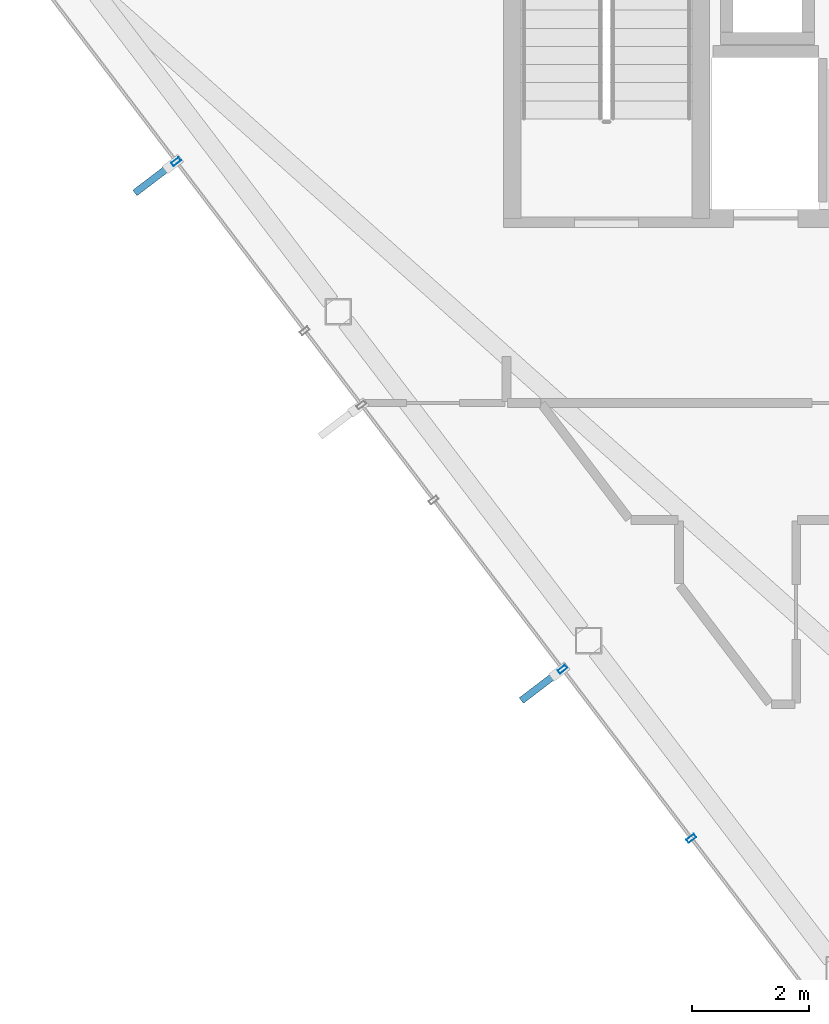
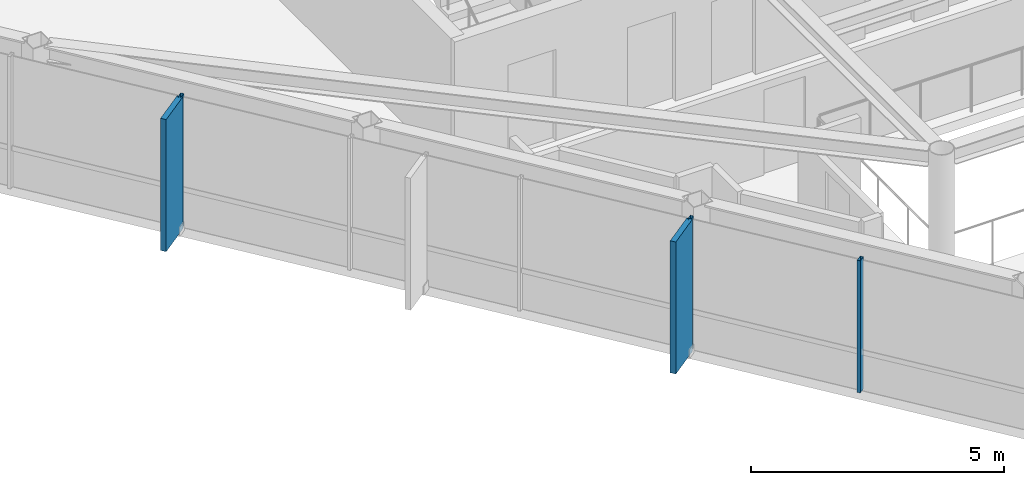
# One storey, part 2 of 23: 5 members, 1 element without a shape of its own.
"""IFC4 building model written with IfcOpenShell, lengths in metres."""

from ifc_helpers import new_model, si_unit, direction, frame, origin, origin_2d, place, context, subcontext, project, spatial, rectangle, hollow_rectangle, extrude, material, layer, layer_set, material_profile, profile_set, type_object, element, aggregate, save


model = new_model("IFC4")

# Units and contexts
model_context = context("Model", 3, precision=1e-05, world=origin(), true_north=direction((0.0, 1.0)))
body_context = subcontext(model_context, "Body", "Model", "MODEL_VIEW")
ifc_project = project(units=[si_unit("LENGTHUNIT", "METRE"), si_unit("AREAUNIT", "SQUARE_METRE"), si_unit("VOLUMEUNIT", "CUBIC_METRE"), si_unit("PLANEANGLEUNIT", "RADIAN"), si_unit("MASSUNIT", "GRAM", prefix="KILO")], contexts=[model_context])

# Site, building, storey
site_placement = place(None, origin())
site = spatial("IfcSite", under=ifc_project, at=site_placement, CompositionType="ELEMENT")
building_placement = place(site_placement, origin())
building = spatial("IfcBuilding", under=site, at=building_placement, Name="Zarrinselat Tower", CompositionType="ELEMENT")
storey_placement = place(building_placement, frame((0.0, 0.0, 278.800048828125)))
storey = spatial("IfcBuildingStorey", under=building, at=storey_placement, Name="L71", CompositionType="ELEMENT", Elevation=278.800048828125)

# Curtain wall, members
ifc_material_1 = material(Name="Extruded Aluminium Alloy EN AW-6063 T6", Category="aluminium")
ifc_layer = layer(ifc_material_1, 0.169921875)
ifc_layer_set = layer_set([ifc_layer], Name="Extruded Aluminium Alloy EN AW-6063 T6")
curtain_wall_type = type_object("IfcCurtainWallType", Name="CWS-RES", PredefinedType="NOTDEFINED", material=ifc_layer_set)
curtain_wall_placement = place(storey_placement, origin())
curtain_wall = element("IfcCurtainWall", 1, at=curtain_wall_placement, inside=storey, type_object=curtain_wall_type, Name="L71 Unitised Curtain Wall CW-L71-E03", PredefinedType="NOTDEFINED")
ifc_material_2 = material(Name="Extruded Aluminium Alloy EN AW-6063 T6", Category="aluminium")
ifc_material_profile_1 = material_profile(ifc_material_2, hollow_rectangle(XDim=0.070068359375, YDim=0.159912109375, WallThickness=0.00390625, at=origin_2d()), Name="RHS 160x70x4")
ifc_profile_set_1 = profile_set([ifc_material_profile_1], Name="Extruded Aluminium Alloy EN AW-6063 T6")
member_type_1 = type_object("IfcMemberType", Name="MEM-CW-MUL2", PredefinedType="MULLION", material=ifc_profile_set_1)
member_1_placement = place(storey_placement, frame((22.906005859375, 34.272216796875, 0.0), z_axis=(0.0, 0.0, 1.0), x_axis=(0.60576733126, -0.795641841772, 0.0)))
member_1 = element("IfcMember", 2, at=member_1_placement, type_object=member_type_1, Name="CW-L71-E03 Mullion 3", PredefinedType="MULLION", context=body_context, shape_type="SweptSolid", body=[
    extrude(hollow_rectangle(XDim=0.070068359375, YDim=0.159912109375, WallThickness=0.00390625, at=origin_2d()), origin(), (0.0, 0.0, 1.0), 3.179931640625),
])
member_2_placement = place(storey_placement, frame((29.50830078125, 25.600341796875, 0.0), z_axis=(0.0, 0.0, 1.0), x_axis=(0.60576733126, -0.795641841772, 0.0)))
member_2 = element("IfcMember", 3, at=member_2_placement, type_object=member_type_1, Name="CW-L71-E03 Mullion 7", PredefinedType="MULLION", context=body_context, shape_type="SweptSolid", body=[
    extrude(hollow_rectangle(XDim=0.070068359375, YDim=0.159912109375, WallThickness=0.00390625, at=origin_2d()), origin(), (0.0, 0.0, 1.0), 3.179931640625),
])
member_3_placement = place(storey_placement, frame((31.708984375, 22.709716796875, 0.0), z_axis=(0.0, 0.0, 1.0), x_axis=(0.60576733126, -0.795641841772, 0.0)))
member_3 = element("IfcMember", 4, at=member_3_placement, type_object=member_type_1, Name="CW-L71-E03 Mullion 8", PredefinedType="MULLION", context=body_context, shape_type="SweptSolid", body=[
    extrude(hollow_rectangle(XDim=0.070068359375, YDim=0.159912109375, WallThickness=0.00390625, at=origin_2d()), origin(), (0.0, 0.0, 1.0), 3.179931640625),
])
ifc_material_3 = material(Name="Honed Cream Travertine Stone", Category="masonry")
ifc_material_profile_2 = material_profile(ifc_material_3, rectangle(XDim=0.1201171875, YDim=0.85009765625, at=origin_2d()), Name="FIN 850x120")
ifc_profile_set_2 = profile_set([ifc_material_profile_2], Name="Honed Cream Travertine Stone")
member_type_2 = type_object("IfcMemberType", Name="MEM-STONE-FIN", PredefinedType="USERDEFINED", material=ifc_profile_set_2)
member_4_placement = place(storey_placement, frame((22.5400390625, 33.993408203125, 0.0), z_axis=(0.0, 0.0, 1.0), x_axis=(-0.60576733126, 0.795641841772, 0.0)))
member_4 = element("IfcMember", 5, at=member_4_placement, type_object=member_type_2, Name="L71 Stone Shading Fin CW-L71-E03-03", ObjectType="FIN", PredefinedType="USERDEFINED", context=body_context, shape_type="SweptSolid", body=[
    extrude(rectangle(XDim=0.1201171875, YDim=0.85009765625, at=origin_2d()), origin(), (0.0, 0.0, 1.0), 3.179931640625),
])
member_5_placement = place(storey_placement, frame((29.142333984375, 25.321533203125, 0.0), z_axis=(0.0, 0.0, 1.0), x_axis=(-0.60576733126, 0.795641841772, 0.0)))
member_5 = element("IfcMember", 6, at=member_5_placement, type_object=member_type_2, Name="L71 Stone Shading Fin CW-L71-E03-07", ObjectType="FIN", PredefinedType="USERDEFINED", context=body_context, shape_type="SweptSolid", body=[
    extrude(rectangle(XDim=0.1201171875, YDim=0.85009765625, at=origin_2d()), origin(), (0.0, 0.0, 1.0), 3.179931640625),
])
aggregate(curtain_wall, [member_1, member_4, member_2, member_5, member_3])

save(model, "model.ifc")
